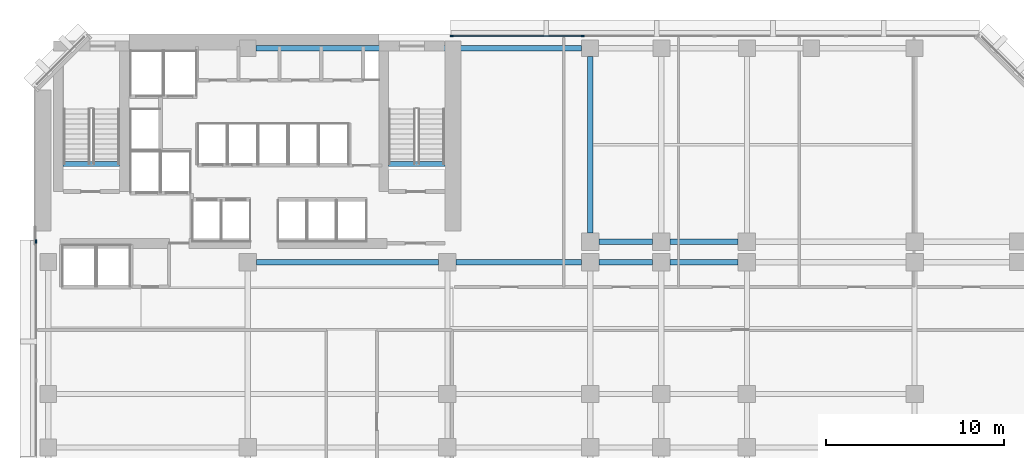
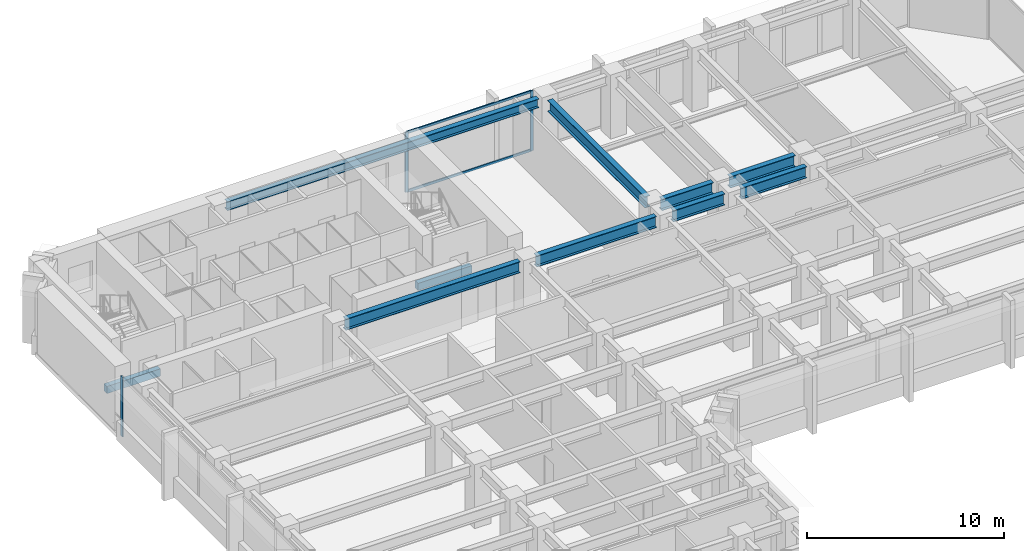
# One storey, part 4 of 13: 10 beams, 5 members, 2 elements without a shape of their own.
"""IFC4 building model written with IfcOpenShell, lengths in metres."""

from ifc_helpers import new_model, si_unit, direction, frame, origin, origin_2d, place, context, subcontext, project, spatial, rectangle, i_section, extrude, material, layer, layer_set, material_profile, profile_set, type_object, element, aggregate, save


model = new_model("IFC4")

# Units and contexts
model_context = context("Model", 3, precision=1e-05, world=origin(), true_north=direction((0.0, 1.0)))
body_context = subcontext(model_context, "Body", "Model", "MODEL_VIEW")
ifc_project = project(units=[si_unit("LENGTHUNIT", "METRE"), si_unit("AREAUNIT", "SQUARE_METRE"), si_unit("VOLUMEUNIT", "CUBIC_METRE"), si_unit("PLANEANGLEUNIT", "RADIAN"), si_unit("MASSUNIT", "GRAM", prefix="KILO")], contexts=[model_context])

# Site, building, storey
site_placement = place(None, origin())
site = spatial("IfcSite", under=ifc_project, at=site_placement, CompositionType="ELEMENT")
building_placement = place(site_placement, origin())
building = spatial("IfcBuilding", under=site, at=building_placement, Name="Kefirva Bronze Tower", CompositionType="ELEMENT")
storey_placement = place(building_placement, frame((0.0, 0.0, 73.919921875)))
storey = spatial("IfcBuildingStorey", under=building, at=storey_placement, Name="L17", CompositionType="ELEMENT", Elevation=73.919921875)

# Curtain wall, members
ifc_material_1 = material(Name="Bronze anodised aluminium", Category="aluminium")
ifc_layer = layer(ifc_material_1, 0.199951171875, Name="Bronze anodised aluminium")
ifc_layer_set = layer_set([ifc_layer], Name="Bronze anodised aluminium")
curtain_wall_type = type_object("IfcCurtainWallType", Name="Unitised Bronze Ribbon Curtain Wall Zone 1", PredefinedType="USERDEFINED", material=ifc_layer_set)
curtain_wall_1_placement = place(storey_placement, origin())
curtain_wall_1 = element("IfcCurtainWall", 1, at=curtain_wall_1_placement, inside=storey, type_object=curtain_wall_type, Name="L17 Curtain Wall 4", ObjectType="UNITISED CURTAIN WALL", PredefinedType="USERDEFINED")
ifc_material_profile_1 = material_profile(ifc_material_1, rectangle(XDim=0.074951171875, YDim=0.179931640625, at=origin_2d()), Name="ALU 75x180")
ifc_profile_set_1 = profile_set([ifc_material_profile_1], Name="Bronze anodised aluminium")
member_type_1 = type_object("IfcMemberType", Name="Bronze Mullion 75x180", PredefinedType="MULLION", material=ifc_profile_set_1)
member_1_placement = place(storey_placement, frame((30.7900390625, 45.8798828125, 0.0), z_axis=(0.0, 0.0, 1.0), x_axis=(0.0, -1.0, 0.0)))
member_1 = element("IfcMember", 2, at=member_1_placement, type_object=member_type_1, Name="CW-01 mullion 4", PredefinedType="MULLION", context=body_context, shape_type="SweptSolid", body=[
    extrude(rectangle(XDim=0.074951171875, YDim=0.179931640625, at=origin_2d()), origin(), (0.0, 0.0, 1.0), 3.7099609375),
])
member_2_placement = place(storey_placement, frame((23.4423828125, 45.8798828125, 0.0), z_axis=(0.0, 0.0, 1.0), x_axis=(0.0, -1.0, 0.0)))
member_2 = element("IfcMember", 3, at=member_2_placement, type_object=member_type_1, Name="CW-01 mullion 5", PredefinedType="MULLION", context=body_context, shape_type="SweptSolid", body=[
    extrude(rectangle(XDim=0.074951171875, YDim=0.179931640625, at=origin_2d()), origin(), (0.0, 0.0, 1.0), 3.7099609375),
])

# Curtain wall, member
curtain_wall_2_placement = place(storey_placement, origin())
curtain_wall_2 = element("IfcCurtainWall", 4, at=curtain_wall_2_placement, inside=storey, type_object=curtain_wall_type, Name="L17 Curtain Wall 5", ObjectType="UNITISED CURTAIN WALL", PredefinedType="USERDEFINED")
member_3_placement = place(storey_placement, frame((0.1201171875, 34.357421875, 0.0), z_axis=(0.0, 0.0, 1.0), x_axis=(1.0, 0.0, 0.0)))
member_3 = element("IfcMember", 5, at=member_3_placement, type_object=member_type_1, Name="CW-01 mullion 1", PredefinedType="MULLION", context=body_context, shape_type="SweptSolid", body=[
    extrude(rectangle(XDim=0.074951171875, YDim=0.179931640625, at=origin_2d()), origin(), (0.0, 0.0, 1.0), 3.7099609375),
])
aggregate(curtain_wall_2, [member_3])

# Member
ifc_material_profile_2 = material_profile(ifc_material_1, rectangle(XDim=0.074951171875, YDim=0.14990234375, at=origin_2d()), Name="ALU 75x150")
ifc_profile_set_2 = profile_set([ifc_material_profile_2], Name="Bronze anodised aluminium")
member_type_2 = type_object("IfcMemberType", Name="Bronze Transom 75x150", PredefinedType="USERDEFINED", material=ifc_profile_set_2)
member_4_placement = place(storey_placement, frame((30.75244140625, 45.8798828125, 0.03759765625), z_axis=(-1.0, 0.0, 0.0), x_axis=(0.0, -1.0, 0.0)))
member_4 = element("IfcMember", 6, at=member_4_placement, type_object=member_type_2, Name="CW-01 transom 4.1", ObjectType="TRANSOM", PredefinedType="USERDEFINED", context=body_context, shape_type="SweptSolid", body=[
    extrude(rectangle(XDim=0.074951171875, YDim=0.14990234375, at=origin_2d()), origin(), (0.0, 0.0, 1.0), 7.2724609375),
])

member_5_placement = place(storey_placement, frame((30.75244140625, 45.8798828125, 3.672607421875), z_axis=(-1.0, 0.0, 0.0), x_axis=(0.0, -1.0, 0.0)))
member_5 = element("IfcMember", 7, at=member_5_placement, type_object=member_type_2, Name="CW-01 transom 4.2", ObjectType="TRANSOM", PredefinedType="USERDEFINED", context=body_context, shape_type="SweptSolid", body=[
    extrude(rectangle(XDim=0.074951171875, YDim=0.14990234375, at=origin_2d()), origin(), (0.0, 0.0, 1.0), 7.2724609375),
])

aggregate(curtain_wall_1, [member_1, member_2, member_4, member_5])

# Beams
ifc_material_2 = material(Name="Concrete C50/60", Category="concrete")
ifc_material_profile_3 = material_profile(ifc_material_2, rectangle(XDim=0.300048828125, YDim=0.449951171875, at=origin_2d()), Name="RC 300x450")
ifc_profile_set_3 = profile_set([ifc_material_profile_3], Name="Concrete C50/60")
beam_type_1 = type_object("IfcBeamType", Name="RC Stair Trimmer Beam 300x450", PredefinedType="BEAM", material=ifc_profile_set_3)
beam_1_placement = place(storey_placement, frame((1.64501953125, 38.699951171875, -0.224853515625), z_axis=(1.0, 0.0, 0.0), x_axis=(0.0, 1.0, 0.0)))
element("IfcBeam", 8, at=beam_1_placement, inside=storey, type_object=beam_type_1, Name="L17 Stair 1 Landing Trimmer Beam", PredefinedType="BEAM", context=body_context, shape_type="SweptSolid", body=[
    extrude(rectangle(XDim=0.300048828125, YDim=0.449951171875, at=origin_2d()), origin(), (0.0, 0.0, 1.0), 3.14990234375),
])
beam_2_placement = place(storey_placement, frame((19.89501953125, 38.699951171875, -0.224853515625), z_axis=(1.0, 0.0, 0.0), x_axis=(0.0, 1.0, 0.0)))
element("IfcBeam", 9, at=beam_2_placement, inside=storey, type_object=beam_type_1, Name="L17 Stair 2 Landing Trimmer Beam", PredefinedType="BEAM", context=body_context, shape_type="SweptSolid", body=[
    extrude(rectangle(XDim=0.300048828125, YDim=0.449951171875, at=origin_2d()), origin(), (0.0, 0.0, 1.0), 3.159912109375),
])
ifc_material_3 = material(Name="Steel S355", Category="steel")
ifc_material_profile_4 = material_profile(ifc_material_3, i_section(OverallWidth=0.300048828125, OverallDepth=0.699951171875, WebThickness=0.01708984375, FlangeThickness=0.031982421875, at=origin_2d()), Name="HEB 700")
ifc_profile_set_4 = profile_set([ifc_material_profile_4], Name="Steel S355")
beam_type_2 = type_object("IfcBeamType", Name="Steel Girder HEB 700", PredefinedType="USERDEFINED", material=ifc_profile_set_4)
beam_3_placement = place(storey_placement, frame((12.489990234375, 33.199951171875, 3.360107421875), z_axis=(1.0, 0.0, 0.0), x_axis=(0.0, 1.0, 0.0)))
element("IfcBeam", 10, at=beam_3_placement, inside=storey, type_object=beam_type_2, Name="L17 BM-L17-EW-12-332", ObjectType="GIRDER", PredefinedType="USERDEFINED", context=body_context, shape_type="SweptSolid", body=[
    extrude(i_section(OverallWidth=0.300048828125, OverallDepth=0.699951171875, WebThickness=0.01708984375, FlangeThickness=0.031982421875, at=origin_2d()), origin(), (0.0, 0.0, 1.0), 10.219970703125),
])
beam_4_placement = place(storey_placement, frame((23.68994140625, 33.199951171875, 3.360107421875), z_axis=(1.0, 0.0, 0.0), x_axis=(0.0, 1.0, 0.0)))
element("IfcBeam", 11, at=beam_4_placement, inside=storey, type_object=beam_type_2, Name="L17 BM-L17-EW-23-332", ObjectType="GIRDER", PredefinedType="USERDEFINED", context=body_context, shape_type="SweptSolid", body=[
    extrude(i_section(OverallWidth=0.300048828125, OverallDepth=0.699951171875, WebThickness=0.01708984375, FlangeThickness=0.031982421875, at=origin_2d()), origin(), (0.0, 0.0, 1.0), 7.02001953125),
])
beam_5_placement = place(storey_placement, frame((31.68994140625, 33.199951171875, 3.360107421875), z_axis=(1.0, 0.0, 0.0), x_axis=(0.0, 1.0, 0.0)))
element("IfcBeam", 12, at=beam_5_placement, inside=storey, type_object=beam_type_2, Name="L17 BM-L17-EW-31-332", ObjectType="GIRDER", PredefinedType="USERDEFINED", context=body_context, shape_type="SweptSolid", body=[
    extrude(i_section(OverallWidth=0.300048828125, OverallDepth=0.699951171875, WebThickness=0.01708984375, FlangeThickness=0.031982421875, at=origin_2d()), origin(), (0.0, 0.0, 1.0), 3.02001953125),
])
beam_6_placement = place(storey_placement, frame((35.68994140625, 33.199951171875, 3.360107421875), z_axis=(1.0, 0.0, 0.0), x_axis=(0.0, 1.0, 0.0)))
element("IfcBeam", 13, at=beam_6_placement, inside=storey, type_object=beam_type_2, Name="L17 BM-L17-EW-35-332", ObjectType="GIRDER", PredefinedType="USERDEFINED", context=body_context, shape_type="SweptSolid", body=[
    extrude(i_section(OverallWidth=0.300048828125, OverallDepth=0.699951171875, WebThickness=0.01708984375, FlangeThickness=0.031982421875, at=origin_2d()), origin(), (0.0, 0.0, 1.0), 3.820068359375),
])
beam_7_placement = place(storey_placement, frame((31.68994140625, 34.35009765625, 3.360107421875), z_axis=(1.0, 0.0, 0.0), x_axis=(0.0, 1.0, 0.0)))
element("IfcBeam", 14, at=beam_7_placement, inside=storey, type_object=beam_type_2, Name="L17 BM-L17-EW-31-344", ObjectType="GIRDER", PredefinedType="USERDEFINED", context=body_context, shape_type="SweptSolid", body=[
    extrude(i_section(OverallWidth=0.300048828125, OverallDepth=0.699951171875, WebThickness=0.01708984375, FlangeThickness=0.031982421875, at=origin_2d()), origin(), (0.0, 0.0, 1.0), 3.02001953125),
])
beam_8_placement = place(storey_placement, frame((35.68994140625, 34.35009765625, 3.360107421875), z_axis=(1.0, 0.0, 0.0), x_axis=(0.0, 1.0, 0.0)))
element("IfcBeam", 15, at=beam_8_placement, inside=storey, type_object=beam_type_2, Name="L17 BM-L17-EW-35-344", ObjectType="GIRDER", PredefinedType="USERDEFINED", context=body_context, shape_type="SweptSolid", body=[
    extrude(i_section(OverallWidth=0.300048828125, OverallDepth=0.699951171875, WebThickness=0.01708984375, FlangeThickness=0.031982421875, at=origin_2d()), origin(), (0.0, 0.0, 1.0), 3.820068359375),
])
beam_9_placement = place(storey_placement, frame((31.199951171875, 34.840087890625, 3.360107421875), z_axis=(0.0, 1.0, 0.0), x_axis=(-1.0, 0.0, 0.0)))
element("IfcBeam", 16, at=beam_9_placement, inside=storey, type_object=beam_type_2, Name="L17 BM-L17-NS-312-34", ObjectType="GIRDER", PredefinedType="USERDEFINED", context=body_context, shape_type="SweptSolid", body=[
    extrude(i_section(OverallWidth=0.300048828125, OverallDepth=0.699951171875, WebThickness=0.01708984375, FlangeThickness=0.031982421875, at=origin_2d()), origin(), (0.0, 0.0, 1.0), 9.889892578125),
])
ifc_material_profile_5 = material_profile(ifc_material_3, i_section(OverallWidth=0.300048828125, OverallDepth=0.550048828125, WebThickness=0.014892578125, FlangeThickness=0.029052734375, at=origin_2d()), Name="HEB 550")
ifc_profile_set_5 = profile_set([ifc_material_profile_5], Name="Steel S355")
beam_type_3 = type_object("IfcBeamType", Name="Steel Spandrel HEB 550 Ext", PredefinedType="SPANDREL", material=ifc_profile_set_5)
beam_10_placement = place(storey_placement, frame((12.469970703125, 45.199951171875, 3.43505859375), z_axis=(1.0, 0.0, 0.0), x_axis=(0.0, 1.0, 0.0)))
element("IfcBeam", 17, at=beam_10_placement, inside=storey, type_object=beam_type_3, Name="L17 BM-L17-EW-12-452", PredefinedType="SPANDREL", context=body_context, shape_type="SweptSolid", body=[
    extrude(i_section(OverallWidth=0.300048828125, OverallDepth=0.550048828125, WebThickness=0.014892578125, FlangeThickness=0.029052734375, at=origin_2d()), origin(), (0.0, 0.0, 1.0), 18.260009765625),
])

save(model, "model.ifc")
